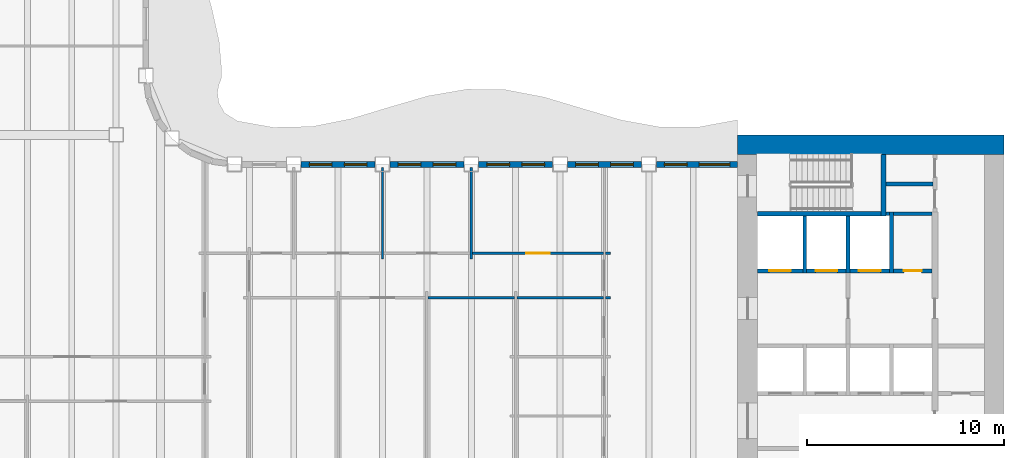
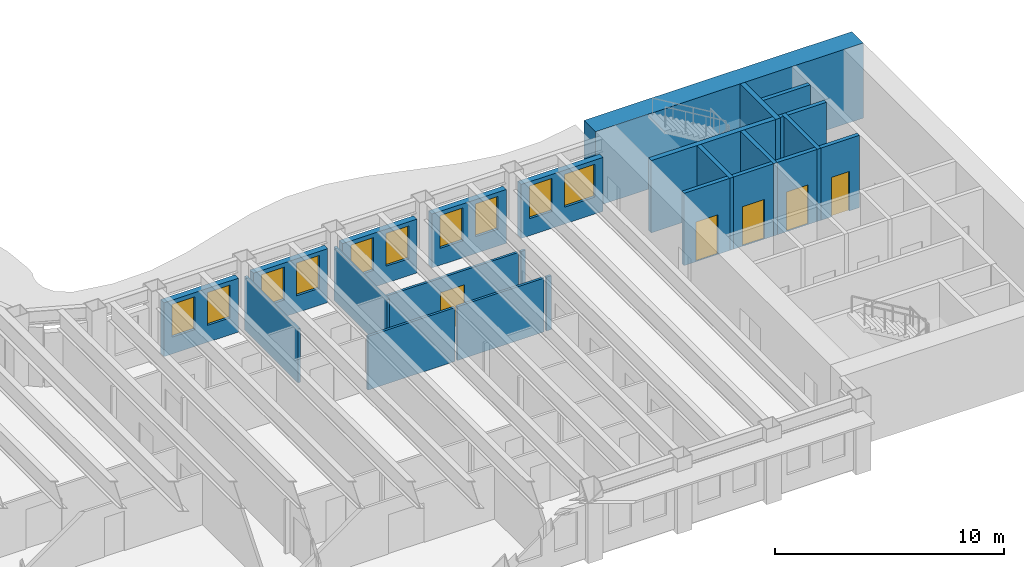
# One storey, part 7 of 16: 25 walls, 10 windows, 5 doors, 15 openings.
"""IFC4 building model written with IfcOpenShell, lengths in metres."""

from ifc_helpers import new_model, si_unit, direction, frame, frame_2d, origin, place, context, subcontext, project, spatial, rectangle, extrude, material, layer, layer_set, type_object, element, fill, save


model = new_model("IFC4")

# Units and contexts
model_context = context("Model", 3, precision=1e-05, world=origin(), true_north=direction((0.0, 1.0)))
body_context = subcontext(model_context, "Body", "Model", "MODEL_VIEW")
ifc_project = project(units=[si_unit("LENGTHUNIT", "METRE"), si_unit("AREAUNIT", "SQUARE_METRE"), si_unit("VOLUMEUNIT", "CUBIC_METRE"), si_unit("PLANEANGLEUNIT", "RADIAN"), si_unit("MASSUNIT", "GRAM", prefix="KILO")], contexts=[model_context])

# Site, building, storey
site_placement = place(None, origin())
site = spatial("IfcSite", under=ifc_project, at=site_placement, CompositionType="ELEMENT")
building_placement = place(site_placement, origin())
building = spatial("IfcBuilding", under=site, at=building_placement, Name="Sennacour Bend Tower", CompositionType="ELEMENT")
storey_placement = place(building_placement, frame((0.0, 0.0, 231.0)))
storey = spatial("IfcBuildingStorey", under=building, at=storey_placement, Name="L53", CompositionType="ELEMENT", Elevation=231.0)

# Walls
ifc_material_1 = material(Name="Concrete C60/75", Category="concrete")
ifc_layer_1 = layer(ifc_material_1, 1.0, Name="Concrete C60/75", Category="concrete")
ifc_layer_set_1 = layer_set([ifc_layer_1], Name="Concrete C60/75")
wall_type_1 = type_object("IfcWallType", Name="Core wall 1000 C60/75", PredefinedType="SHEAR", material=ifc_layer_set_1)
wall_1_placement = place(storey_placement, frame((54.0, 22.0, -0.14990234375), z_axis=(0.0, 0.0, 1.0), x_axis=(1.0, 0.0, 0.0)))
element("IfcWall", 1, at=wall_1_placement, inside=storey, type_object=wall_type_1, Name="Core A wall L53 N", PredefinedType="SHEAR", context=body_context, shape_type="SweptSolid", body=[
    extrude(rectangle(XDim=13.5, YDim=1.0, at=frame_2d((6.75, 0.0))), origin(), (0.0, 0.0, 1.0), 4.0),
])
ifc_material_2 = material(Name="Plasterboard partition on steel studs", Category="steel")
ifc_layer_2 = layer(ifc_material_2, 0.1201171875, Name="Plasterboard partition on steel studs", Category="steel")
ifc_layer_set_2 = layer_set([ifc_layer_2], Name="Plasterboard partition on steel studs")
wall_type_2 = type_object("IfcWallType", Name="Partition 120", PredefinedType="PARTITIONING", material=ifc_layer_set_2)
for number, where, z_axis, x_axis, name in (
    (2, (36.0, 16.199951171875, 0.0), (0.0, 0.0, 1.0), (0.0, 1.0, 0.0), "P-L53-W030a"),
    (3, (40.5, 16.199951171875, 0.0), (0.0, 0.0, 1.0), (0.0, 1.0, 0.0), "P-L53-W033a"),
):
    element("IfcWall", number, at=place(storey_placement, frame(where, z_axis=z_axis, x_axis=x_axis)), inside=storey, type_object=wall_type_2, Name=name, PredefinedType="PARTITIONING", context=body_context, shape_type="SweptSolid", body=[
        extrude(rectangle(XDim=4.650146484375, YDim=0.1201171875, at=frame_2d((2.3251953125, 0.0))), origin(), (0.0, 0.0, 1.0), 2.8701171875),
    ])
for number, where, z_axis, x_axis, name in (
    (4, (38.31005859375, 14.25, 0.0), (0.0, 0.0, 1.0), (1.0, 0.0, 0.0), "P-L53-W069ad"),
    (5, (42.81005859375, 14.25, 0.0), (0.0, 0.0, 1.0), (1.0, 0.0, 0.0), "P-L53-W069ae"),
):
    element("IfcWall", number, at=place(storey_placement, frame(where, z_axis=z_axis, x_axis=x_axis)), inside=storey, type_object=wall_type_2, Name=name, PredefinedType="PARTITIONING", context=body_context, shape_type="SweptSolid", body=[
        extrude(rectangle(XDim=4.3798828125, YDim=0.1201171875, at=frame_2d((2.18994140625, 0.0))), origin(), (0.0, 0.0, 1.0), 2.8701171875),
    ])
wall_2_placement = place(storey_placement, frame((47.31005859375, 14.25, 0.0), z_axis=(0.0, 0.0, 1.0), x_axis=(1.0, 0.0, 0.0)))
element("IfcWall", 6, at=wall_2_placement, inside=storey, type_object=wall_type_2, Name="P-L53-W069af", PredefinedType="PARTITIONING", context=body_context, shape_type="SweptSolid", body=[
    extrude(rectangle(XDim=0.239990234375, YDim=0.1201171875, at=frame_2d((0.1201171875, 0.0))), origin(), (0.0, 0.0, 1.0), 2.8701171875),
])

# Wall, opening, door
wall_3_placement = place(storey_placement, frame((40.56005859375, 16.5, 0.0), z_axis=(0.0, 0.0, 1.0), x_axis=(1.0, 0.0, 0.0)))
wall_3 = element("IfcWall", 7, at=wall_3_placement, inside=storey, type_object=wall_type_2, Name="P-L53-W072af", PredefinedType="PARTITIONING", context=body_context, shape_type="SweptSolid", body=[
    extrude(rectangle(XDim=6.6298828125, YDim=0.1201171875, at=frame_2d((3.31494140625, 0.0))), origin(), (0.0, 0.0, 1.0), 2.8701171875),
])
opening_1_placement = place(wall_3_placement, frame((2.71484375, 0.0, 0.0)))
opening_1 = element("IfcOpeningElement", 8, at=opening_1_placement, cuts=wall_3, Name="Opening OD", PredefinedType="OPENING", context=body_context, shape_type="SweptSolid", body=[
    extrude(rectangle(XDim=1.199951171875, YDim=2.10009765625, at=frame_2d((0.60009765625, 1.050048828125))), frame((0.0, 0.070068359375, 0.0), z_axis=(0.0, -1.0, 0.0), x_axis=(1.0, 0.0, 0.0)), (0.0, 0.0, 1.0), 0.14013671875),
])
ifc_material_3 = material(Name="Timber", Category="wood")
door_type_1 = type_object("IfcDoorType", Name="DR-OFFICE-1200", OperationType="NOTDEFINED", PredefinedType="DOOR", material=ifc_material_3)
door_1_placement = place(opening_1_placement, origin())
door_1 = element("IfcDoor", 9, at=door_1_placement, inside=storey, type_object=door_type_1, Name="Door", OperationType="SINGLE_SWING_LEFT", OverallHeight=2.10009765625, OverallWidth=1.199951171875, PredefinedType="DOOR", context=body_context, shape_type="SweptSolid", body=[
    extrude(rectangle(XDim=1.199951171875, YDim=2.10009765625, at=frame_2d((0.60009765625, 1.050048828125))), frame((0.0, 0.02490234375, 0.0), z_axis=(0.0, -1.0, 0.0), x_axis=(1.0, 0.0, 0.0)), (0.0, 0.0, 1.0), 0.050048828125),
])
fill(opening_1, door_1)

# Wall
wall_4_placement = place(storey_placement, frame((47.31005859375, 16.5, 0.0), z_axis=(0.0, 0.0, 1.0), x_axis=(1.0, 0.0, 0.0)))
element("IfcWall", 10, at=wall_4_placement, inside=storey, type_object=wall_type_2, Name="P-L53-W072ag", PredefinedType="PARTITIONING", context=body_context, shape_type="SweptSolid", body=[
    extrude(rectangle(XDim=0.239990234375, YDim=0.1201171875, at=frame_2d((0.1201171875, 0.0))), origin(), (0.0, 0.0, 1.0), 2.8701171875),
])

# Wall, opening, door
ifc_material_4 = material(Name="Fire-rated plasterboard partition on steel studs", Category="steel")
ifc_layer_3 = layer(ifc_material_4, 0.199951171875, Name="Fire-rated plasterboard partition on steel studs", Category="steel")
ifc_layer_set_3 = layer_set([ifc_layer_3], Name="Fire-rated plasterboard partition on steel studs")
wall_type_3 = type_object("IfcWallType", Name="Rated partition 200", PredefinedType="PARTITIONING", material=ifc_layer_set_3)
wall_5_placement = place(storey_placement, frame((61.89990234375, 15.60009765625, 0.0), z_axis=(0.0, 0.0, 1.0), x_axis=(1.0, 0.0, 0.0)))
wall_5 = element("IfcWall", 11, at=wall_5_placement, inside=storey, type_object=wall_type_3, Name="P-L53-W071", PredefinedType="PARTITIONING", context=body_context, shape_type="SweptSolid", body=[
    extrude(rectangle(XDim=1.9501953125, YDim=0.199951171875, at=frame_2d((0.97509765625, 0.0))), origin(), (0.0, 0.0, 1.0), 3.85009765625),
])
opening_2_placement = place(wall_5_placement, frame((0.525146484375, 0.0, 0.0)))
opening_2 = element("IfcOpeningElement", 12, at=opening_2_placement, cuts=wall_5, Name="Opening SV", PredefinedType="OPENING", context=body_context, shape_type="SweptSolid", body=[
    extrude(rectangle(XDim=0.89990234375, YDim=2.10009765625, at=frame_2d((0.449951171875, 1.050048828125))), frame((0.0, 0.10986328125, 0.0), z_axis=(0.0, -1.0, 0.0), x_axis=(1.0, 0.0, 0.0)), (0.0, 0.0, 1.0), 0.219970703125),
])
ifc_material_5 = material(Name="Painted steel", Category="steel")
door_type_2 = type_object("IfcDoorType", Name="DR-SERVICE-900", OperationType="NOTDEFINED", PredefinedType="DOOR", material=ifc_material_5)
door_2_placement = place(opening_2_placement, origin())
door_2 = element("IfcDoor", 13, at=door_2_placement, inside=storey, type_object=door_type_2, Name="Door", OperationType="SINGLE_SWING_LEFT", OverallHeight=2.10009765625, OverallWidth=0.89990234375, PredefinedType="DOOR", context=body_context, shape_type="SweptSolid", body=[
    extrude(rectangle(XDim=0.89990234375, YDim=2.10009765625, at=frame_2d((0.449951171875, 1.050048828125))), frame((0.0, 0.02490234375, 0.0), z_axis=(0.0, -1.0, 0.0), x_axis=(1.0, 0.0, 0.0)), (0.0, 0.0, 1.0), 0.050048828125),
])
fill(opening_2, door_2)

# Walls
wall_6_placement = place(storey_placement, frame((61.89990234375, 18.5, 0.0), z_axis=(0.0, 0.0, 1.0), x_axis=(1.0, 0.0, 0.0)))
element("IfcWall", 14, at=wall_6_placement, inside=storey, type_object=wall_type_3, Name="P-L53-W076", PredefinedType="PARTITIONING", context=body_context, shape_type="SweptSolid", body=[
    extrude(rectangle(XDim=1.9501953125, YDim=0.199951171875, at=frame_2d((0.97509765625, 0.0))), origin(), (0.0, 0.0, 1.0), 3.85009765625),
])
wall_7_placement = place(storey_placement, frame((61.52490234375, 20.0, 0.0), z_axis=(0.0, 0.0, 1.0), x_axis=(1.0, 0.0, 0.0)))
element("IfcWall", 15, at=wall_7_placement, inside=storey, type_object=wall_type_3, Name="P-L53-W077", PredefinedType="PARTITIONING", context=body_context, shape_type="SweptSolid", body=[
    extrude(rectangle(XDim=2.375, YDim=0.199951171875, at=frame_2d((1.1875, 0.0))), origin(), (0.0, 0.0, 1.0), 3.85009765625),
])

# Wall, openings, windows
ifc_material_6 = material(Name="Warm limestone cladding", Category="masonry")
ifc_layer_4 = layer(ifc_material_6, 0.050048828125, Name="Warm limestone cladding", Category="masonry")
ifc_material_7 = material(Name="Precast concrete C40/50", Category="concrete")
ifc_layer_5 = layer(ifc_material_7, 0.25, Name="Precast concrete C40/50", Category="concrete")
ifc_layer_set_4 = layer_set([ifc_layer_4, ifc_layer_5], Name="Precast concrete C40/50 with limestone cladding")
wall_type_4 = type_object("IfcWallType", Name="STONE-CLAD PRECAST SPANDREL 300", PredefinedType="STANDARD", material=ifc_layer_set_4)
wall_8_placement = place(storey_placement, frame((54.0, 21.0, 0.0), z_axis=(0.0, 0.0, 1.0), x_axis=(-1.0, 0.0, 0.0)))
wall_8 = element("IfcWall", 16, at=wall_8_placement, inside=storey, type_object=wall_type_4, Name="Stone spandrel and pier wall L53 06.00", PredefinedType="STANDARD", context=body_context, shape_type="SweptSolid", body=[
    extrude(rectangle(XDim=4.125, YDim=0.300048828125, at=frame_2d((2.0625, 0.0))), origin(), (0.0, 0.0, 1.0), 2.8701171875),
])
opening_3_placement = place(wall_8_placement, frame((0.39990234375, 0.0, 0.89990234375)))
opening_3 = element("IfcOpeningElement", 17, at=opening_3_placement, cuts=wall_8, Name="Opening W12", PredefinedType="OPENING", context=body_context, shape_type="SweptSolid", body=[
    extrude(rectangle(XDim=1.550048828125, YDim=1.75, at=frame_2d((0.77490234375, 0.875))), frame((0.0, 0.16015625, 0.0), z_axis=(0.0, -1.0, 0.0), x_axis=(1.0, 0.0, 0.0)), (0.0, 0.0, 1.0), 0.320068359375),
])
opening_4_placement = place(wall_8_placement, frame((2.5625, 0.0, 0.89990234375)))
opening_4 = element("IfcOpeningElement", 18, at=opening_4_placement, cuts=wall_8, Name="Opening W23", PredefinedType="OPENING", context=body_context, shape_type="SweptSolid", body=[
    extrude(rectangle(XDim=1.14990234375, YDim=1.75, at=frame_2d((0.574951171875, 0.875))), frame((0.0, 0.16015625, 0.0), z_axis=(0.0, -1.0, 0.0), x_axis=(1.0, 0.0, 0.0)), (0.0, 0.0, 1.0), 0.320068359375),
])
ifc_material_8 = material(Name="Clear low-emissivity glass", Category="glass")
window_type_1 = type_object("IfcWindowType", Name="WIN-RIBBON-1150x1750", PartitioningType="SINGLE_PANEL", PredefinedType="WINDOW", material=ifc_material_8)
window_1_placement = place(opening_4_placement, origin())
window_1 = element("IfcWindow", 19, at=window_1_placement, inside=storey, type_object=window_type_1, Name="Ribbon window L53 06.00.1", OverallHeight=1.75, OverallWidth=1.14990234375, PartitioningType="SINGLE_PANEL", PredefinedType="WINDOW", context=body_context, shape_type="SweptSolid", body=[
    extrude(rectangle(XDim=1.14990234375, YDim=1.75, at=frame_2d((0.574951171875, 0.875))), frame((0.0, 0.030029296875, 0.0), z_axis=(0.0, -1.0, 0.0), x_axis=(1.0, 0.0, 0.0)), (0.0, 0.0, 1.0), 0.06005859375),
])
fill(opening_4, window_1)
window_type_2 = type_object("IfcWindowType", Name="WIN-RIBBON-1550x1750", PartitioningType="SINGLE_PANEL", PredefinedType="WINDOW", material=ifc_material_8)
window_2_placement = place(opening_3_placement, origin())
window_2 = element("IfcWindow", 20, at=window_2_placement, inside=storey, type_object=window_type_2, Name="Ribbon window L53 06.00.0", OverallHeight=1.75, OverallWidth=1.550048828125, PartitioningType="SINGLE_PANEL", PredefinedType="WINDOW", context=body_context, shape_type="SweptSolid", body=[
    extrude(rectangle(XDim=1.550048828125, YDim=1.75, at=frame_2d((0.77490234375, 0.875))), frame((0.0, 0.030029296875, 0.0), z_axis=(0.0, -1.0, 0.0), x_axis=(1.0, 0.0, 0.0)), (0.0, 0.0, 1.0), 0.06005859375),
])
fill(opening_3, window_2)

wall_9_placement = place(storey_placement, frame((49.125, 21.0, 0.0), z_axis=(0.0, 0.0, 1.0), x_axis=(-1.0, 0.0, 0.0)))
wall_9 = element("IfcWall", 21, at=wall_9_placement, inside=storey, type_object=wall_type_4, Name="Stone spandrel and pier wall L53 06.01", PredefinedType="STANDARD", context=body_context, shape_type="SweptSolid", body=[
    extrude(rectangle(XDim=3.75, YDim=0.300048828125, at=frame_2d((1.875, 0.0))), origin(), (0.0, 0.0, 1.0), 2.8701171875),
])
opening_5_placement = place(wall_9_placement, frame((0.41259765625, 0.0, 0.89990234375)))
opening_5 = element("IfcOpeningElement", 22, at=opening_5_placement, cuts=wall_9, Name="Opening W23", PredefinedType="OPENING", context=body_context, shape_type="SweptSolid", body=[
    extrude(rectangle(XDim=1.14990234375, YDim=1.75, at=frame_2d((0.574951171875, 0.875))), frame((0.0, 0.16015625, 0.0), z_axis=(0.0, -1.0, 0.0), x_axis=(1.0, 0.0, 0.0)), (0.0, 0.0, 1.0), 0.320068359375),
])
opening_6_placement = place(wall_9_placement, frame((2.1875, 0.0, 0.89990234375)))
opening_6 = element("IfcOpeningElement", 23, at=opening_6_placement, cuts=wall_9, Name="Opening W23", PredefinedType="OPENING", context=body_context, shape_type="SweptSolid", body=[
    extrude(rectangle(XDim=1.14990234375, YDim=1.75, at=frame_2d((0.574951171875, 0.875))), frame((0.0, 0.16015625, 0.0), z_axis=(0.0, -1.0, 0.0), x_axis=(1.0, 0.0, 0.0)), (0.0, 0.0, 1.0), 0.320068359375),
])
window_3_placement = place(opening_5_placement, origin())
window_3 = element("IfcWindow", 24, at=window_3_placement, inside=storey, type_object=window_type_1, Name="Ribbon window L53 06.01.0", OverallHeight=1.75, OverallWidth=1.14990234375, PartitioningType="SINGLE_PANEL", PredefinedType="WINDOW", context=body_context, shape_type="SweptSolid", body=[
    extrude(rectangle(XDim=1.14990234375, YDim=1.75, at=frame_2d((0.574951171875, 0.875))), frame((0.0, 0.030029296875, 0.0), z_axis=(0.0, -1.0, 0.0), x_axis=(1.0, 0.0, 0.0)), (0.0, 0.0, 1.0), 0.06005859375),
])
fill(opening_5, window_3)
window_4_placement = place(opening_6_placement, origin())
window_4 = element("IfcWindow", 25, at=window_4_placement, inside=storey, type_object=window_type_1, Name="Ribbon window L53 06.01.1", OverallHeight=1.75, OverallWidth=1.14990234375, PartitioningType="SINGLE_PANEL", PredefinedType="WINDOW", context=body_context, shape_type="SweptSolid", body=[
    extrude(rectangle(XDim=1.14990234375, YDim=1.75, at=frame_2d((0.574951171875, 0.875))), frame((0.0, 0.030029296875, 0.0), z_axis=(0.0, -1.0, 0.0), x_axis=(1.0, 0.0, 0.0)), (0.0, 0.0, 1.0), 0.06005859375),
])
fill(opening_6, window_4)

wall_10_placement = place(storey_placement, frame((44.625, 21.0, 0.0), z_axis=(0.0, 0.0, 1.0), x_axis=(-1.0, 0.0, 0.0)))
wall_10 = element("IfcWall", 26, at=wall_10_placement, inside=storey, type_object=wall_type_4, Name="Stone spandrel and pier wall L53 06.02", PredefinedType="STANDARD", context=body_context, shape_type="SweptSolid", body=[
    extrude(rectangle(XDim=3.75, YDim=0.300048828125, at=frame_2d((1.875, 0.0))), origin(), (0.0, 0.0, 1.0), 2.8701171875),
])
opening_7_placement = place(wall_10_placement, frame((0.41259765625, 0.0, 0.89990234375)))
opening_7 = element("IfcOpeningElement", 27, at=opening_7_placement, cuts=wall_10, Name="Opening W23", PredefinedType="OPENING", context=body_context, shape_type="SweptSolid", body=[
    extrude(rectangle(XDim=1.14990234375, YDim=1.75, at=frame_2d((0.574951171875, 0.875))), frame((0.0, 0.16015625, 0.0), z_axis=(0.0, -1.0, 0.0), x_axis=(1.0, 0.0, 0.0)), (0.0, 0.0, 1.0), 0.320068359375),
])
opening_8_placement = place(wall_10_placement, frame((2.1875, 0.0, 0.89990234375)))
opening_8 = element("IfcOpeningElement", 28, at=opening_8_placement, cuts=wall_10, Name="Opening W23", PredefinedType="OPENING", context=body_context, shape_type="SweptSolid", body=[
    extrude(rectangle(XDim=1.14990234375, YDim=1.75, at=frame_2d((0.574951171875, 0.875))), frame((0.0, 0.16015625, 0.0), z_axis=(0.0, -1.0, 0.0), x_axis=(1.0, 0.0, 0.0)), (0.0, 0.0, 1.0), 0.320068359375),
])
window_5_placement = place(opening_7_placement, origin())
window_5 = element("IfcWindow", 29, at=window_5_placement, inside=storey, type_object=window_type_1, Name="Ribbon window L53 06.02.0", OverallHeight=1.75, OverallWidth=1.14990234375, PartitioningType="SINGLE_PANEL", PredefinedType="WINDOW", context=body_context, shape_type="SweptSolid", body=[
    extrude(rectangle(XDim=1.14990234375, YDim=1.75, at=frame_2d((0.574951171875, 0.875))), frame((0.0, 0.030029296875, 0.0), z_axis=(0.0, -1.0, 0.0), x_axis=(1.0, 0.0, 0.0)), (0.0, 0.0, 1.0), 0.06005859375),
])
fill(opening_7, window_5)
window_6_placement = place(opening_8_placement, origin())
window_6 = element("IfcWindow", 30, at=window_6_placement, inside=storey, type_object=window_type_1, Name="Ribbon window L53 06.02.1", OverallHeight=1.75, OverallWidth=1.14990234375, PartitioningType="SINGLE_PANEL", PredefinedType="WINDOW", context=body_context, shape_type="SweptSolid", body=[
    extrude(rectangle(XDim=1.14990234375, YDim=1.75, at=frame_2d((0.574951171875, 0.875))), frame((0.0, 0.030029296875, 0.0), z_axis=(0.0, -1.0, 0.0), x_axis=(1.0, 0.0, 0.0)), (0.0, 0.0, 1.0), 0.06005859375),
])
fill(opening_8, window_6)

wall_11_placement = place(storey_placement, frame((40.125, 21.0, 0.0), z_axis=(0.0, 0.0, 1.0), x_axis=(-1.0, 0.0, 0.0)))
wall_11 = element("IfcWall", 31, at=wall_11_placement, inside=storey, type_object=wall_type_4, Name="Stone spandrel and pier wall L53 06.03", PredefinedType="STANDARD", context=body_context, shape_type="SweptSolid", body=[
    extrude(rectangle(XDim=3.75, YDim=0.300048828125, at=frame_2d((1.875, 0.0))), origin(), (0.0, 0.0, 1.0), 2.8701171875),
])
opening_9_placement = place(wall_11_placement, frame((0.41259765625, 0.0, 0.89990234375)))
opening_9 = element("IfcOpeningElement", 32, at=opening_9_placement, cuts=wall_11, Name="Opening W23", PredefinedType="OPENING", context=body_context, shape_type="SweptSolid", body=[
    extrude(rectangle(XDim=1.14990234375, YDim=1.75, at=frame_2d((0.574951171875, 0.875))), frame((0.0, 0.16015625, 0.0), z_axis=(0.0, -1.0, 0.0), x_axis=(1.0, 0.0, 0.0)), (0.0, 0.0, 1.0), 0.320068359375),
])
opening_10_placement = place(wall_11_placement, frame((2.1875, 0.0, 0.89990234375)))
opening_10 = element("IfcOpeningElement", 33, at=opening_10_placement, cuts=wall_11, Name="Opening W23", PredefinedType="OPENING", context=body_context, shape_type="SweptSolid", body=[
    extrude(rectangle(XDim=1.14990234375, YDim=1.75, at=frame_2d((0.574951171875, 0.875))), frame((0.0, 0.16015625, 0.0), z_axis=(0.0, -1.0, 0.0), x_axis=(1.0, 0.0, 0.0)), (0.0, 0.0, 1.0), 0.320068359375),
])
window_7_placement = place(opening_9_placement, origin())
window_7 = element("IfcWindow", 34, at=window_7_placement, inside=storey, type_object=window_type_1, Name="Ribbon window L53 06.03.0", OverallHeight=1.75, OverallWidth=1.14990234375, PartitioningType="SINGLE_PANEL", PredefinedType="WINDOW", context=body_context, shape_type="SweptSolid", body=[
    extrude(rectangle(XDim=1.14990234375, YDim=1.75, at=frame_2d((0.574951171875, 0.875))), frame((0.0, 0.030029296875, 0.0), z_axis=(0.0, -1.0, 0.0), x_axis=(1.0, 0.0, 0.0)), (0.0, 0.0, 1.0), 0.06005859375),
])
fill(opening_9, window_7)
window_8_placement = place(opening_10_placement, origin())
window_8 = element("IfcWindow", 35, at=window_8_placement, inside=storey, type_object=window_type_1, Name="Ribbon window L53 06.03.1", OverallHeight=1.75, OverallWidth=1.14990234375, PartitioningType="SINGLE_PANEL", PredefinedType="WINDOW", context=body_context, shape_type="SweptSolid", body=[
    extrude(rectangle(XDim=1.14990234375, YDim=1.75, at=frame_2d((0.574951171875, 0.875))), frame((0.0, 0.030029296875, 0.0), z_axis=(0.0, -1.0, 0.0), x_axis=(1.0, 0.0, 0.0)), (0.0, 0.0, 1.0), 0.06005859375),
])
fill(opening_10, window_8)

wall_12_placement = place(storey_placement, frame((35.625, 21.0, 0.0), z_axis=(0.0, 0.0, 1.0), x_axis=(-1.0, 0.0, 0.0)))
wall_12 = element("IfcWall", 36, at=wall_12_placement, inside=storey, type_object=wall_type_4, Name="Stone spandrel and pier wall L53 06.04", PredefinedType="STANDARD", context=body_context, shape_type="SweptSolid", body=[
    extrude(rectangle(XDim=3.75, YDim=0.300048828125, at=frame_2d((1.875, 0.0))), origin(), (0.0, 0.0, 1.0), 2.8701171875),
])
opening_11_placement = place(wall_12_placement, frame((0.41259765625, 0.0, 0.89990234375)))
opening_11 = element("IfcOpeningElement", 37, at=opening_11_placement, cuts=wall_12, Name="Opening W23", PredefinedType="OPENING", context=body_context, shape_type="SweptSolid", body=[
    extrude(rectangle(XDim=1.14990234375, YDim=1.75, at=frame_2d((0.574951171875, 0.875))), frame((0.0, 0.16015625, 0.0), z_axis=(0.0, -1.0, 0.0), x_axis=(1.0, 0.0, 0.0)), (0.0, 0.0, 1.0), 0.320068359375),
])
opening_12_placement = place(wall_12_placement, frame((2.1875, 0.0, 0.89990234375)))
opening_12 = element("IfcOpeningElement", 38, at=opening_12_placement, cuts=wall_12, Name="Opening W23", PredefinedType="OPENING", context=body_context, shape_type="SweptSolid", body=[
    extrude(rectangle(XDim=1.14990234375, YDim=1.75, at=frame_2d((0.574951171875, 0.875))), frame((0.0, 0.16015625, 0.0), z_axis=(0.0, -1.0, 0.0), x_axis=(1.0, 0.0, 0.0)), (0.0, 0.0, 1.0), 0.320068359375),
])
window_9_placement = place(opening_11_placement, origin())
window_9 = element("IfcWindow", 39, at=window_9_placement, inside=storey, type_object=window_type_1, Name="Ribbon window L53 06.04.0", OverallHeight=1.75, OverallWidth=1.14990234375, PartitioningType="SINGLE_PANEL", PredefinedType="WINDOW", context=body_context, shape_type="SweptSolid", body=[
    extrude(rectangle(XDim=1.14990234375, YDim=1.75, at=frame_2d((0.574951171875, 0.875))), frame((0.0, 0.030029296875, 0.0), z_axis=(0.0, -1.0, 0.0), x_axis=(1.0, 0.0, 0.0)), (0.0, 0.0, 1.0), 0.06005859375),
])
fill(opening_11, window_9)
window_10_placement = place(opening_12_placement, origin())
window_10 = element("IfcWindow", 40, at=window_10_placement, inside=storey, type_object=window_type_1, Name="Ribbon window L53 06.04.1", OverallHeight=1.75, OverallWidth=1.14990234375, PartitioningType="SINGLE_PANEL", PredefinedType="WINDOW", context=body_context, shape_type="SweptSolid", body=[
    extrude(rectangle(XDim=1.14990234375, YDim=1.75, at=frame_2d((0.574951171875, 0.875))), frame((0.0, 0.030029296875, 0.0), z_axis=(0.0, -1.0, 0.0), x_axis=(1.0, 0.0, 0.0)), (0.0, 0.0, 1.0), 0.06005859375),
])
fill(opening_12, window_10)

# Walls
ifc_material_9 = material(Name="Concrete C50/60", Category="concrete")
ifc_layer_6 = layer(ifc_material_9, 0.199951171875, Name="Concrete C50/60", Category="concrete")
ifc_layer_set_5 = layer_set([ifc_layer_6], Name="Concrete C50/60")
wall_type_5 = type_object("IfcWallType", Name="Shaft wall 200", PredefinedType="SOLIDWALL", material=ifc_layer_set_5)
for number, where, z_axis, x_axis, name in (
    (41, (57.39990234375, 15.5, 0.0), (0.0, 0.0, 1.0), (0.0, 1.0, 0.0), "P-L53-W039"),
    (42, (59.60009765625, 15.5, 0.0), (0.0, 0.0, 1.0), (0.0, 1.0, 0.0), "P-L53-W042"),
):
    element("IfcWall", number, at=place(storey_placement, frame(where, z_axis=z_axis, x_axis=x_axis)), inside=storey, type_object=wall_type_5, Name=name, PredefinedType="SOLIDWALL", context=body_context, shape_type="SweptSolid", body=[
        extrude(rectangle(XDim=2.875, YDim=0.199951171875, at=frame_2d((1.4375, 0.0))), origin(), (0.0, 0.0, 1.0), 3.85009765625),
    ])
wall_13_placement = place(storey_placement, frame((61.800048828125, 15.5, 0.0), z_axis=(0.0, 0.0, 1.0), x_axis=(0.0, 1.0, 0.0)))
element("IfcWall", 43, at=wall_13_placement, inside=storey, type_object=wall_type_5, Name="P-L53-W046", PredefinedType="SOLIDWALL", context=body_context, shape_type="SweptSolid", body=[
    extrude(rectangle(XDim=3.10009765625, YDim=0.199951171875, at=frame_2d((1.550048828125, 0.0))), origin(), (0.0, 0.0, 1.0), 3.85009765625),
])

# Wall, opening, door
wall_14_placement = place(storey_placement, frame((55.0, 15.60009765625, 0.0), z_axis=(0.0, 0.0, 1.0), x_axis=(1.0, 0.0, 0.0)))
wall_14 = element("IfcWall", 44, at=wall_14_placement, inside=storey, type_object=wall_type_5, Name="P-L53-W070a", PredefinedType="SOLIDWALL", context=body_context, shape_type="SweptSolid", body=[
    extrude(rectangle(XDim=2.300048828125, YDim=0.199951171875, at=frame_2d((1.14990234375, 0.0))), origin(), (0.0, 0.0, 1.0), 3.85009765625),
])
opening_13_placement = place(wall_14_placement, frame((0.60009765625, 0.0, 0.011962890625)))
opening_13 = element("IfcOpeningElement", 45, at=opening_13_placement, cuts=wall_14, Name="Opening FLD", PredefinedType="OPENING", context=body_context, shape_type="SweptSolid", body=[
    extrude(rectangle(XDim=1.10009765625, YDim=2.10009765625, at=frame_2d((0.550048828125, 1.050048828125))), frame((0.0, 0.10986328125, 0.0), z_axis=(0.0, -1.0, 0.0), x_axis=(1.0, 0.0, 0.0)), (0.0, 0.0, 1.0), 0.219970703125),
])
ifc_material_10 = material(Name="Stainless steel", Category="steel")
door_type_3 = type_object("IfcDoorType", Name="DR-FF-LANDING-1100", OperationType="NOTDEFINED", PredefinedType="DOOR", material=ifc_material_10)
door_3_placement = place(opening_13_placement, origin())
door_3 = element("IfcDoor", 46, at=door_3_placement, inside=storey, type_object=door_type_3, Name="Fire service lift landing door FA1", OperationType="SLIDING_TO_LEFT", OverallHeight=2.10009765625, OverallWidth=1.10009765625, PredefinedType="DOOR", context=body_context, shape_type="SweptSolid", body=[
    extrude(rectangle(XDim=1.10009765625, YDim=2.10009765625, at=frame_2d((0.550048828125, 1.050048828125))), frame((0.0, 0.02490234375, 0.0), z_axis=(0.0, -1.0, 0.0), x_axis=(1.0, 0.0, 0.0)), (0.0, 0.0, 1.0), 0.050048828125),
])
fill(opening_13, door_3)

wall_15_placement = place(storey_placement, frame((57.5, 15.60009765625, 0.0), z_axis=(0.0, 0.0, 1.0), x_axis=(1.0, 0.0, 0.0)))
wall_15 = element("IfcWall", 47, at=wall_15_placement, inside=storey, type_object=wall_type_5, Name="P-L53-W070b", PredefinedType="SOLIDWALL", context=body_context, shape_type="SweptSolid", body=[
    extrude(rectangle(XDim=2.0, YDim=0.199951171875, at=frame_2d((1.0, 0.0))), origin(), (0.0, 0.0, 1.0), 3.85009765625),
])
opening_14_placement = place(wall_15_placement, frame((0.449951171875, 0.0, 0.011962890625)))
opening_14 = element("IfcOpeningElement", 48, at=opening_14_placement, cuts=wall_15, Name="Opening FLD", PredefinedType="OPENING", context=body_context, shape_type="SweptSolid", body=[
    extrude(rectangle(XDim=1.10009765625, YDim=2.10009765625, at=frame_2d((0.550048828125, 1.050048828125))), frame((0.0, 0.10986328125, 0.0), z_axis=(0.0, -1.0, 0.0), x_axis=(1.0, 0.0, 0.0)), (0.0, 0.0, 1.0), 0.219970703125),
])
door_4_placement = place(opening_14_placement, origin())
door_4 = element("IfcDoor", 49, at=door_4_placement, inside=storey, type_object=door_type_3, Name="Fire service lift landing door FA2", OperationType="SLIDING_TO_RIGHT", OverallHeight=2.10009765625, OverallWidth=1.10009765625, PredefinedType="DOOR", context=body_context, shape_type="SweptSolid", body=[
    extrude(rectangle(XDim=1.10009765625, YDim=2.10009765625, at=frame_2d((0.550048828125, 1.050048828125))), frame((0.0, 0.02490234375, 0.0), z_axis=(0.0, -1.0, 0.0), x_axis=(1.0, 0.0, 0.0)), (0.0, 0.0, 1.0), 0.050048828125),
])
fill(opening_14, door_4)

wall_16_placement = place(storey_placement, frame((59.699951171875, 15.60009765625, 0.0), z_axis=(0.0, 0.0, 1.0), x_axis=(1.0, 0.0, 0.0)))
wall_16 = element("IfcWall", 50, at=wall_16_placement, inside=storey, type_object=wall_type_5, Name="P-L53-W070c", PredefinedType="SOLIDWALL", context=body_context, shape_type="SweptSolid", body=[
    extrude(rectangle(XDim=2.0, YDim=0.199951171875, at=frame_2d((1.0, 0.0))), origin(), (0.0, 0.0, 1.0), 3.85009765625),
])
opening_15_placement = place(wall_16_placement, frame((0.449951171875, 0.0, 0.011962890625)))
opening_15 = element("IfcOpeningElement", 51, at=opening_15_placement, cuts=wall_16, Name="Opening LD", PredefinedType="OPENING", context=body_context, shape_type="SweptSolid", body=[
    extrude(rectangle(XDim=1.10009765625, YDim=2.10009765625, at=frame_2d((0.550048828125, 1.050048828125))), frame((0.0, 0.10986328125, 0.0), z_axis=(0.0, -1.0, 0.0), x_axis=(1.0, 0.0, 0.0)), (0.0, 0.0, 1.0), 0.219970703125),
])
door_type_4 = type_object("IfcDoorType", Name="DR-LANDING-1100", OperationType="NOTDEFINED", PredefinedType="DOOR", material=ifc_material_10)
door_5_placement = place(opening_15_placement, origin())
door_5 = element("IfcDoor", 52, at=door_5_placement, inside=storey, type_object=door_type_4, Name="Lift landing door HA5", OperationType="SLIDING_TO_LEFT", OverallHeight=2.10009765625, OverallWidth=1.10009765625, PredefinedType="DOOR", context=body_context, shape_type="SweptSolid", body=[
    extrude(rectangle(XDim=1.10009765625, YDim=2.10009765625, at=frame_2d((0.550048828125, 1.050048828125))), frame((0.0, 0.02490234375, 0.0), z_axis=(0.0, -1.0, 0.0), x_axis=(1.0, 0.0, 0.0)), (0.0, 0.0, 1.0), 0.050048828125),
])
fill(opening_15, door_5)

# Walls
wall_17_placement = place(storey_placement, frame((61.52490234375, 18.5, 0.0), z_axis=(0.0, 0.0, 1.0), x_axis=(1.0, 0.0, 0.0)))
element("IfcWall", 53, at=wall_17_placement, inside=storey, type_object=wall_type_5, Name="P-L53-W075", PredefinedType="SOLIDWALL", context=body_context, shape_type="SweptSolid", body=[
    extrude(rectangle(XDim=0.175048828125, YDim=0.199951171875, at=frame_2d((0.08740234375, 0.0))), origin(), (0.0, 0.0, 1.0), 3.85009765625),
])
ifc_layer_7 = layer(ifc_material_1, 0.25, Name="Concrete C60/75", Category="concrete")
ifc_layer_set_6 = layer_set([ifc_layer_7], Name="Concrete C60/75")
wall_type_6 = type_object("IfcWallType", Name="Stair wall 250", PredefinedType="SHEAR", material=ifc_layer_set_6)
wall_18_placement = place(storey_placement, frame((61.39990234375, 18.375, 0.0), z_axis=(0.0, 0.0, 1.0), x_axis=(0.0, 1.0, 0.0)))
element("IfcWall", 54, at=wall_18_placement, inside=storey, type_object=wall_type_6, Name="P-L53-W044", PredefinedType="SHEAR", context=body_context, shape_type="SweptSolid", body=[
    extrude(rectangle(XDim=3.125, YDim=0.25, at=frame_2d((1.5625, 0.0))), origin(), (0.0, 0.0, 1.0), 3.85009765625),
])
wall_19_placement = place(storey_placement, frame((55.0, 18.5, 0.0), z_axis=(0.0, 0.0, 1.0), x_axis=(1.0, 0.0, 0.0)))
element("IfcWall", 55, at=wall_19_placement, inside=storey, type_object=wall_type_6, Name="P-L53-W074", PredefinedType="SHEAR", context=body_context, shape_type="SweptSolid", body=[
    extrude(rectangle(XDim=6.27490234375, YDim=0.25, at=frame_2d((3.137451171875, 0.0))), origin(), (0.0, 0.0, 1.0), 3.85009765625),
])

save(model, "model.ifc")
